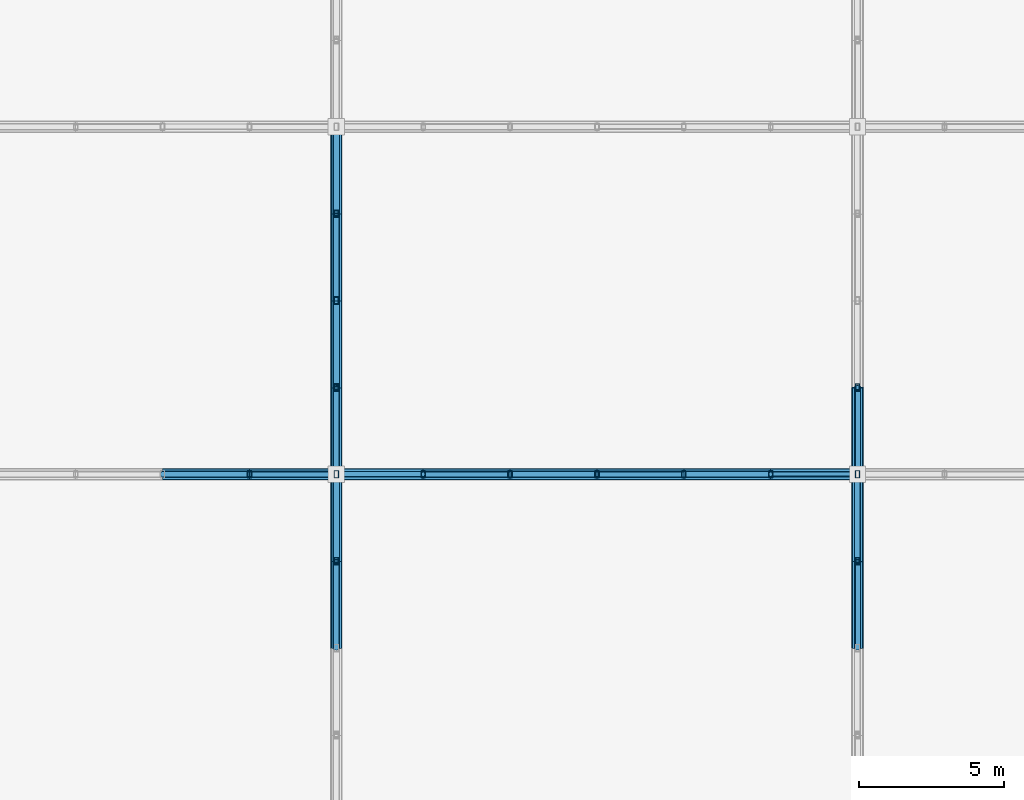
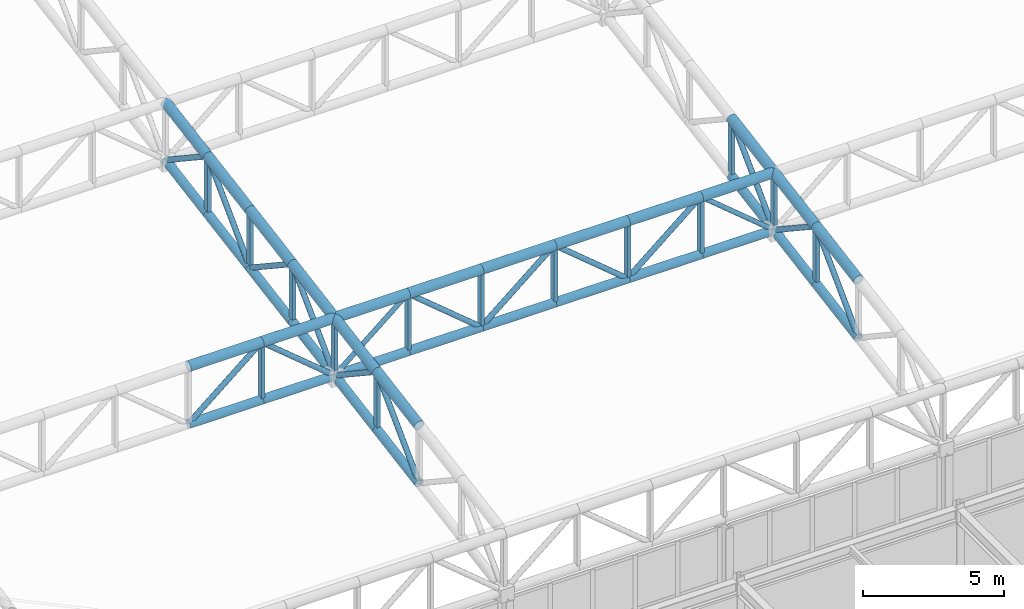
# One storey, part 46 of 239: 65 members.
"""IFC4 building model written with IfcOpenShell, lengths in metres."""

from ifc_helpers import new_model, si_unit, direction, frame, origin, origin_2d, place, context, subcontext, project, spatial, hollow_rectangle, hollow_circle, extrude, material, material_profile, profile_set, type_object, element, save


model = new_model("IFC4")

# Units and contexts
model_context = context("Model", 3, precision=1e-05, world=origin(), true_north=direction((0.0, 1.0)))
body_context = subcontext(model_context, "Body", "Model", "MODEL_VIEW")
ifc_project = project(units=[si_unit("LENGTHUNIT", "METRE"), si_unit("AREAUNIT", "SQUARE_METRE"), si_unit("VOLUMEUNIT", "CUBIC_METRE"), si_unit("PLANEANGLEUNIT", "RADIAN"), si_unit("MASSUNIT", "GRAM", prefix="KILO")], contexts=[model_context])

# Site, building, storey
site_placement = place(None, origin())
site = spatial("IfcSite", under=ifc_project, at=site_placement, CompositionType="ELEMENT")
building_placement = place(site_placement, origin())
building = spatial("IfcBuilding", under=site, at=building_placement, Name="Kaldris Quays Convention Centre", CompositionType="ELEMENT")
storey_placement = place(building_placement, frame((0.0, 0.0, 11.39990234375)))
storey = spatial("IfcBuildingStorey", under=building, at=storey_placement, Name="L02", CompositionType="ELEMENT", Elevation=11.39990234375)

# Members
ifc_material = material(Name="Steel S355J2H", Category="steel")
ifc_material_profile_1 = material_profile(ifc_material, hollow_circle(Radius=0.203125, WallThickness=0.01611328125, at=origin_2d()), Name="CHS 406.4x16")
ifc_profile_set_1 = profile_set([ifc_material_profile_1], Name="Steel S355J2H")
member_type_1 = type_object("IfcMemberType", Name="STRUCTURAL MEMBER SC01", PredefinedType="CHORD", material=ifc_profile_set_1)
for number, where, z_axis, x_axis, name in (
    (1, (50.0, 68.0, 11.72900390625), (1.0, 0.0, 0.0), (0.0, 1.0, 0.0), "SF-V1 Top Chord X 53"),
    (2, (53.0, 68.0, 11.72900390625), (1.0, 0.0, 0.0), (0.0, 1.0, 0.0), "SF-V1 Top Chord X 54"),
    (3, (56.0, 68.0, 11.72900390625), (1.0, 0.0, 0.0), (0.0, 1.0, 0.0), "SF-V1 Top Chord X 55"),
    (4, (59.0, 68.0, 11.72900390625), (1.0, 0.0, 0.0), (0.0, 1.0, 0.0), "SF-V1 Top Chord X 56"),
    (5, (62.0, 68.0, 11.72900390625), (1.0, 0.0, 0.0), (0.0, 1.0, 0.0), "SF-V1 Top Chord X 57"),
    (6, (65.0, 68.0, 11.72900390625), (1.0, 0.0, 0.0), (0.0, 1.0, 0.0), "SF-V1 Top Chord X 58"),
    (7, (68.0, 68.0, 11.72900390625), (1.0, 0.0, 0.0), (0.0, 1.0, 0.0), "SF-V1 Top Chord X 59"),
    (8, (71.0, 68.0, 11.72900390625), (1.0, 0.0, 0.0), (0.0, 1.0, 0.0), "SF-V1 Top Chord X 60"),
):
    element("IfcMember", number, at=place(storey_placement, frame(where, z_axis=z_axis, x_axis=x_axis)), inside=storey, type_object=member_type_1, Name=name, PredefinedType="CHORD", context=body_context, shape_type="SweptSolid", body=[
        extrude(hollow_circle(Radius=0.203125, WallThickness=0.01611328125, at=origin_2d()), origin(), (0.0, 0.0, 1.0), 3.0),
    ])
for number, where, z_axis, x_axis, name in (
    (9, (56.0, 62.0, 10.700439453125), (0.0, 0.985615766076, 0.169001661712), (-1.0, 0.0, 0.0), "SF-V1 Top Chord Y 395"),
    (10, (56.0, 65.0, 11.21484375), (0.0, 0.98562912375, 0.168923741424), (-1.0, 0.0, 0.0), "SF-V1 Top Chord Y 396"),
    (11, (56.0, 68.0, 11.72900390625), (0.0, 0.985615766076, 0.169001661712), (-1.0, 0.0, 0.0), "SF-V1 Top Chord Y 397"),
    (12, (56.0, 71.0, 12.243408203125), (0.0, 0.98562912375, 0.168923741424), (-1.0, 0.0, 0.0), "SF-V1 Top Chord Y 398"),
    (13, (56.0, 74.0, 12.757568359375), (0.0, 0.985615766076, 0.169001661712), (-1.0, 0.0, 0.0), "SF-V1 Top Chord Y 399"),
    (14, (56.0, 77.0, 13.27197265625), (0.0, 0.98562912375, 0.168923741424), (-1.0, 0.0, 0.0), "SF-V1 Top Chord Y 400"),
    (15, (74.0, 62.0, 10.700439453125), (0.0, 0.985615766076, 0.169001661712), (-1.0, 0.0, 0.0), "SF-V1 Top Chord Y 423"),
    (16, (74.0, 65.0, 11.21484375), (0.0, 0.98562912375, 0.168923741424), (-1.0, 0.0, 0.0), "SF-V1 Top Chord Y 424"),
    (17, (74.0, 68.0, 11.72900390625), (0.0, 0.985615766076, 0.169001661712), (-1.0, 0.0, 0.0), "SF-V1 Top Chord Y 425"),
):
    element("IfcMember", number, at=place(storey_placement, frame(where, z_axis=z_axis, x_axis=x_axis)), inside=storey, type_object=member_type_1, Name=name, PredefinedType="CHORD", context=body_context, shape_type="SweptSolid", body=[
        extrude(hollow_circle(Radius=0.203125, WallThickness=0.01611328125, at=origin_2d()), origin(), (0.0, 0.0, 1.0), 3.043701171875),
    ])
ifc_material_profile_2 = material_profile(ifc_material, hollow_circle(Radius=0.177734375, WallThickness=0.01611328125, at=origin_2d()), Name="CHS 355.6x16")
ifc_profile_set_2 = profile_set([ifc_material_profile_2], Name="Steel S355J2H")
member_type_2 = type_object("IfcMemberType", Name="STRUCTURAL MEMBER SC02", PredefinedType="CHORD", material=ifc_profile_set_2)
for number, where, z_axis, x_axis, name in (
    (18, (50.0, 68.0, 9.22900390625), (1.0, 0.0, 0.0), (0.0, 1.0, 0.0), "SF-V1 Bottom Chord X 53"),
    (19, (53.0, 68.0, 9.22900390625), (1.0, 0.0, 0.0), (0.0, 1.0, 0.0), "SF-V1 Bottom Chord X 54"),
    (20, (56.0, 68.0, 9.22900390625), (1.0, 0.0, 0.0), (0.0, 1.0, 0.0), "SF-V1 Bottom Chord X 55"),
    (21, (59.0, 68.0, 9.22900390625), (1.0, 0.0, 0.0), (0.0, 1.0, 0.0), "SF-V1 Bottom Chord X 56"),
    (22, (62.0, 68.0, 9.22900390625), (1.0, 0.0, 0.0), (0.0, 1.0, 0.0), "SF-V1 Bottom Chord X 57"),
    (23, (65.0, 68.0, 9.22900390625), (1.0, 0.0, 0.0), (0.0, 1.0, 0.0), "SF-V1 Bottom Chord X 58"),
    (24, (68.0, 68.0, 9.22900390625), (1.0, 0.0, 0.0), (0.0, 1.0, 0.0), "SF-V1 Bottom Chord X 59"),
    (25, (71.0, 68.0, 9.22900390625), (1.0, 0.0, 0.0), (0.0, 1.0, 0.0), "SF-V1 Bottom Chord X 60"),
):
    element("IfcMember", number, at=place(storey_placement, frame(where, z_axis=z_axis, x_axis=x_axis)), inside=storey, type_object=member_type_2, Name=name, PredefinedType="CHORD", context=body_context, shape_type="SweptSolid", body=[
        extrude(hollow_circle(Radius=0.177734375, WallThickness=0.01611328125, at=origin_2d()), origin(), (0.0, 0.0, 1.0), 3.0),
    ])
for number, where, z_axis, x_axis, name in (
    (26, (56.0, 62.0, 8.200439453125), (0.0, 0.985615766076, 0.169001661712), (-1.0, 0.0, 0.0), "SF-V1 Bottom Chord Y 395"),
    (27, (56.0, 65.0, 8.71484375), (0.0, 0.98562912375, 0.168923741424), (-1.0, 0.0, 0.0), "SF-V1 Bottom Chord Y 396"),
    (28, (56.0, 68.0, 9.22900390625), (0.0, 0.985615766076, 0.169001661712), (-1.0, 0.0, 0.0), "SF-V1 Bottom Chord Y 397"),
    (29, (56.0, 71.0, 9.743408203125), (0.0, 0.98562912375, 0.168923741424), (-1.0, 0.0, 0.0), "SF-V1 Bottom Chord Y 398"),
    (30, (56.0, 74.0, 10.257568359375), (0.0, 0.985615766076, 0.169001661712), (-1.0, 0.0, 0.0), "SF-V1 Bottom Chord Y 399"),
    (31, (56.0, 77.0, 10.77197265625), (0.0, 0.98562912375, 0.168923741424), (-1.0, 0.0, 0.0), "SF-V1 Bottom Chord Y 400"),
    (32, (74.0, 62.0, 8.200439453125), (0.0, 0.985615766076, 0.169001661712), (-1.0, 0.0, 0.0), "SF-V1 Bottom Chord Y 423"),
    (33, (74.0, 65.0, 8.71484375), (0.0, 0.98562912375, 0.168923741424), (-1.0, 0.0, 0.0), "SF-V1 Bottom Chord Y 424"),
    (34, (74.0, 68.0, 9.22900390625), (0.0, 0.985615766076, 0.169001661712), (-1.0, 0.0, 0.0), "SF-V1 Bottom Chord Y 425"),
):
    element("IfcMember", number, at=place(storey_placement, frame(where, z_axis=z_axis, x_axis=x_axis)), inside=storey, type_object=member_type_2, Name=name, PredefinedType="CHORD", context=body_context, shape_type="SweptSolid", body=[
        extrude(hollow_circle(Radius=0.177734375, WallThickness=0.01611328125, at=origin_2d()), origin(), (0.0, 0.0, 1.0), 3.043701171875),
    ])
ifc_material_profile_3 = material_profile(ifc_material, hollow_circle(Radius=0.109619140625, WallThickness=0.010009765625, at=origin_2d()), Name="CHS 219.1x10")
ifc_profile_set_3 = profile_set([ifc_material_profile_3], Name="Steel S355J2H")
member_type_3 = type_object("IfcMemberType", Name="STRUCTURAL MEMBER SWB1", PredefinedType="BRACE", material=ifc_profile_set_3)
for number, where, z_axis, x_axis, name in (
    (35, (50.0, 68.0, 9.22900390625), (0.768221279597, 0.0, 0.640184399664), (0.0, 1.0, 0.0), "SF-V1 Web Diagonal X 53"),
    (36, (56.0, 68.0, 9.22900390625), (-0.768221279597, 0.0, 0.640184399664), (0.0, -1.0, 0.0), "SF-V1 Web Diagonal X 54"),
    (37, (62.0, 68.0, 9.22900390625), (-0.768221279597, 0.0, 0.640184399664), (0.0, -1.0, 0.0), "SF-V1 Web Diagonal X 56"),
    (38, (62.0, 68.0, 9.22900390625), (0.768221279597, 0.0, 0.640184399664), (0.0, 1.0, 0.0), "SF-V1 Web Diagonal X 57"),
    (39, (68.0, 68.0, 9.22900390625), (-0.768221279597, 0.0, 0.640184399664), (0.0, -1.0, 0.0), "SF-V1 Web Diagonal X 58"),
    (40, (68.0, 68.0, 9.22900390625), (0.768221279597, 0.0, 0.640184399664), (0.0, 1.0, 0.0), "SF-V1 Web Diagonal X 59"),
):
    element("IfcMember", number, at=place(storey_placement, frame(where, z_axis=z_axis, x_axis=x_axis)), inside=storey, type_object=member_type_3, Name=name, PredefinedType="BRACE", context=body_context, shape_type="SweptSolid", body=[
        extrude(hollow_circle(Radius=0.109619140625, WallThickness=0.010009765625, at=origin_2d()), origin(), (0.0, 0.0, 1.0), 3.905029296875),
    ])
member_1_placement = place(storey_placement, frame((56.0, 62.0, 8.200439453125), z_axis=(0.0, 0.705411261057, 0.708798245465), x_axis=(-1.0, 0.0, 0.0)))
element("IfcMember", 41, at=member_1_placement, inside=storey, type_object=member_type_3, Name="SF-V1 Web Diagonal Y 395", PredefinedType="BRACE", context=body_context, shape_type="SweptSolid", body=[
    extrude(hollow_circle(Radius=0.109619140625, WallThickness=0.010009765625, at=origin_2d()), origin(), (0.0, 0.0, 1.0), 4.2529296875),
])
member_2_placement = place(storey_placement, frame((56.0, 68.0, 9.22900390625), z_axis=(0.0, -0.833862389808, 0.551972385962), x_axis=(1.0, 0.0, 0.0)))
element("IfcMember", 42, at=member_2_placement, inside=storey, type_object=member_type_3, Name="SF-V1 Web Diagonal Y 396", PredefinedType="BRACE", context=body_context, shape_type="SweptSolid", body=[
    extrude(hollow_circle(Radius=0.109619140625, WallThickness=0.010009765625, at=origin_2d()), origin(), (0.0, 0.0, 1.0), 3.59765625),
])
member_3_placement = place(storey_placement, frame((56.0, 68.0, 9.22900390625), z_axis=(0.0, 0.705411261057, 0.708798245465), x_axis=(-1.0, 0.0, 0.0)))
element("IfcMember", 43, at=member_3_placement, inside=storey, type_object=member_type_3, Name="SF-V1 Web Diagonal Y 397", PredefinedType="BRACE", context=body_context, shape_type="SweptSolid", body=[
    extrude(hollow_circle(Radius=0.109619140625, WallThickness=0.010009765625, at=origin_2d()), origin(), (0.0, 0.0, 1.0), 4.2529296875),
])
member_4_placement = place(storey_placement, frame((56.0, 74.0, 10.257568359375), z_axis=(0.0, -0.833862389808, 0.551972385962), x_axis=(1.0, 0.0, 0.0)))
element("IfcMember", 44, at=member_4_placement, inside=storey, type_object=member_type_3, Name="SF-V1 Web Diagonal Y 398", PredefinedType="BRACE", context=body_context, shape_type="SweptSolid", body=[
    extrude(hollow_circle(Radius=0.109619140625, WallThickness=0.010009765625, at=origin_2d()), origin(), (0.0, 0.0, 1.0), 3.59765625),
])
member_5_placement = place(storey_placement, frame((56.0, 74.0, 10.257568359375), z_axis=(0.0, 0.705411261057, 0.708798245465), x_axis=(-1.0, 0.0, 0.0)))
element("IfcMember", 45, at=member_5_placement, inside=storey, type_object=member_type_3, Name="SF-V1 Web Diagonal Y 399", PredefinedType="BRACE", context=body_context, shape_type="SweptSolid", body=[
    extrude(hollow_circle(Radius=0.109619140625, WallThickness=0.010009765625, at=origin_2d()), origin(), (0.0, 0.0, 1.0), 4.2529296875),
])
member_6_placement = place(storey_placement, frame((56.0, 80.0, 11.2861328125), z_axis=(0.0, -0.833862389808, 0.551972385962), x_axis=(1.0, 0.0, 0.0)))
element("IfcMember", 46, at=member_6_placement, inside=storey, type_object=member_type_3, Name="SF-V1 Web Diagonal Y 400", PredefinedType="BRACE", context=body_context, shape_type="SweptSolid", body=[
    extrude(hollow_circle(Radius=0.109619140625, WallThickness=0.010009765625, at=origin_2d()), origin(), (0.0, 0.0, 1.0), 3.59765625),
])
member_7_placement = place(storey_placement, frame((74.0, 62.0, 8.200439453125), z_axis=(0.0, 0.705411261057, 0.708798245465), x_axis=(-1.0, 0.0, 0.0)))
element("IfcMember", 47, at=member_7_placement, inside=storey, type_object=member_type_3, Name="SF-V1 Web Diagonal Y 423", PredefinedType="BRACE", context=body_context, shape_type="SweptSolid", body=[
    extrude(hollow_circle(Radius=0.109619140625, WallThickness=0.010009765625, at=origin_2d()), origin(), (0.0, 0.0, 1.0), 4.2529296875),
])
member_8_placement = place(storey_placement, frame((74.0, 68.0, 9.22900390625), z_axis=(0.0, -0.833862389808, 0.551972385962), x_axis=(1.0, 0.0, 0.0)))
element("IfcMember", 48, at=member_8_placement, inside=storey, type_object=member_type_3, Name="SF-V1 Web Diagonal Y 424", PredefinedType="BRACE", context=body_context, shape_type="SweptSolid", body=[
    extrude(hollow_circle(Radius=0.109619140625, WallThickness=0.010009765625, at=origin_2d()), origin(), (0.0, 0.0, 1.0), 3.59765625),
])
member_9_placement = place(storey_placement, frame((74.0, 68.0, 9.22900390625), z_axis=(0.0, 0.705411261057, 0.708798245465), x_axis=(-1.0, 0.0, 0.0)))
element("IfcMember", 49, at=member_9_placement, inside=storey, type_object=member_type_3, Name="SF-V1 Web Diagonal Y 425", PredefinedType="BRACE", context=body_context, shape_type="SweptSolid", body=[
    extrude(hollow_circle(Radius=0.109619140625, WallThickness=0.010009765625, at=origin_2d()), origin(), (0.0, 0.0, 1.0), 4.2529296875),
])
ifc_material_profile_4 = material_profile(ifc_material, hollow_circle(Radius=0.096923828125, WallThickness=0.008056640625, at=origin_2d()), Name="CHS 193.7x8")
ifc_profile_set_4 = profile_set([ifc_material_profile_4], Name="Steel S355J2H")
member_type_4 = type_object("IfcMemberType", Name="STRUCTURAL MEMBER SWB3", PredefinedType="BRACE", material=ifc_profile_set_4)
for number, where, z_axis, x_axis, name in (
    (50, (56.0, 68.0, 9.22900390625), (0.768221279597, 0.0, 0.640184399664), (0.0, 1.0, 0.0), "SF-V1 Web Diagonal X 55"),
    (51, (74.0, 68.0, 9.22900390625), (-0.768221279597, 0.0, 0.640184399664), (0.0, -1.0, 0.0), "SF-V1 Web Diagonal X 60"),
):
    element("IfcMember", number, at=place(storey_placement, frame(where, z_axis=z_axis, x_axis=x_axis)), inside=storey, type_object=member_type_4, Name=name, PredefinedType="BRACE", context=body_context, shape_type="SweptSolid", body=[
        extrude(hollow_circle(Radius=0.096923828125, WallThickness=0.008056640625, at=origin_2d()), origin(), (0.0, 0.0, 1.0), 3.905029296875),
    ])
ifc_material_profile_5 = material_profile(ifc_material, hollow_rectangle(XDim=0.14990234375, YDim=0.25, WallThickness=0.010009765625, at=origin_2d()), Name="RHS 250x150x10")
ifc_profile_set_5 = profile_set([ifc_material_profile_5], Name="Steel S355J2H")
member_type_5 = type_object("IfcMemberType", Name="STRUCTURAL MEMBER TTV1", PredefinedType="POST", material=ifc_profile_set_5)
for number, where, z_axis, x_axis, name in (
    (52, (53.0, 68.0, 9.22900390625), (0.0, 0.0, 1.0), (1.0, 0.0, 0.0), "SF-V1 Space-Frame Post 132"),
    (53, (56.0, 65.0, 8.71484375), (0.0, 0.0, 1.0), (1.0, 0.0, 0.0), "SF-V1 Space-Frame Post 142"),
    (54, (56.0, 68.0, 9.22900390625), (0.0, 0.0, 1.0), (1.0, 0.0, 0.0), "SF-V1 Space-Frame Post 143"),
    (55, (56.0, 71.0, 9.743408203125), (0.0, 0.0, 1.0), (1.0, 0.0, 0.0), "SF-V1 Space-Frame Post 144"),
    (56, (56.0, 74.0, 10.257568359375), (0.0, 0.0, 1.0), (1.0, 0.0, 0.0), "SF-V1 Space-Frame Post 145"),
    (57, (56.0, 77.0, 10.77197265625), (0.0, 0.0, 1.0), (1.0, 0.0, 0.0), "SF-V1 Space-Frame Post 146"),
    (58, (59.0, 68.0, 9.22900390625), (0.0, 0.0, 1.0), (1.0, 0.0, 0.0), "SF-V1 Space-Frame Post 169"),
    (59, (62.0, 68.0, 9.22900390625), (0.0, 0.0, 1.0), (1.0, 0.0, 0.0), "SF-V1 Space-Frame Post 177"),
    (60, (65.0, 68.0, 9.22900390625), (0.0, 0.0, 1.0), (1.0, 0.0, 0.0), "SF-V1 Space-Frame Post 185"),
    (61, (68.0, 68.0, 9.22900390625), (0.0, 0.0, 1.0), (1.0, 0.0, 0.0), "SF-V1 Space-Frame Post 193"),
    (62, (71.0, 68.0, 9.22900390625), (0.0, 0.0, 1.0), (1.0, 0.0, 0.0), "SF-V1 Space-Frame Post 201"),
    (63, (74.0, 65.0, 8.71484375), (0.0, 0.0, 1.0), (1.0, 0.0, 0.0), "SF-V1 Space-Frame Post 211"),
    (64, (74.0, 68.0, 9.22900390625), (0.0, 0.0, 1.0), (1.0, 0.0, 0.0), "SF-V1 Space-Frame Post 212"),
    (65, (74.0, 71.0, 9.743408203125), (0.0, 0.0, 1.0), (1.0, 0.0, 0.0), "SF-V1 Space-Frame Post 213"),
):
    element("IfcMember", number, at=place(storey_placement, frame(where, z_axis=z_axis, x_axis=x_axis)), inside=storey, type_object=member_type_5, Name=name, PredefinedType="POST", context=body_context, shape_type="SweptSolid", body=[
        extrude(hollow_rectangle(XDim=0.14990234375, YDim=0.25, WallThickness=0.010009765625, at=origin_2d()), origin(), (0.0, 0.0, 1.0), 2.5),
    ])

save(model, "model.ifc")
